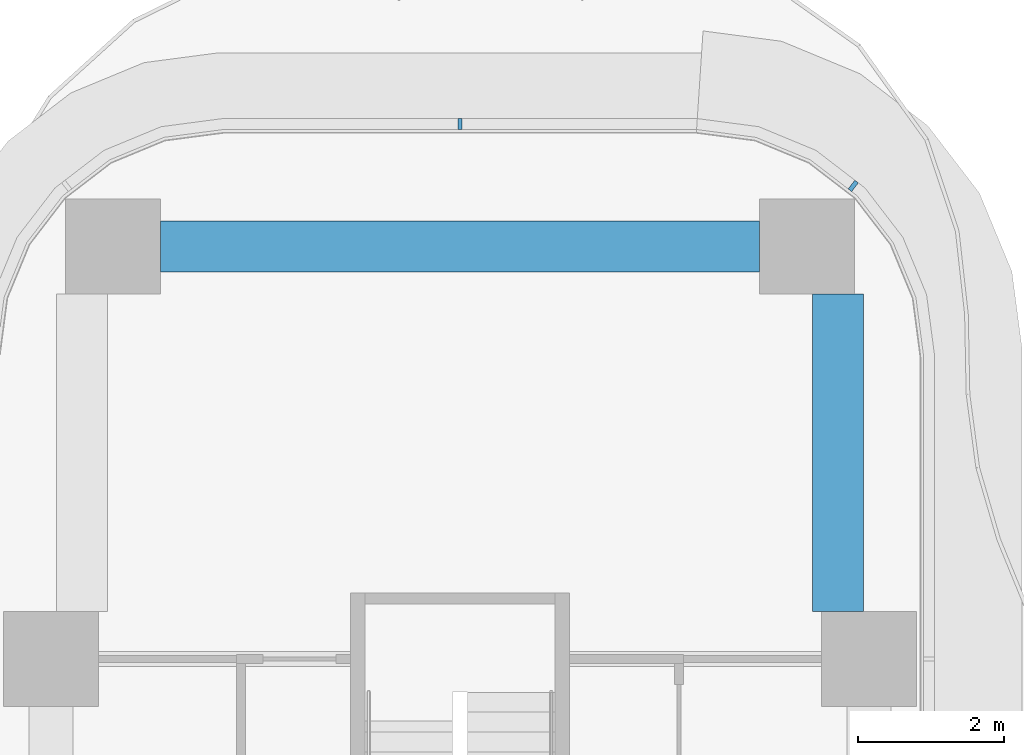
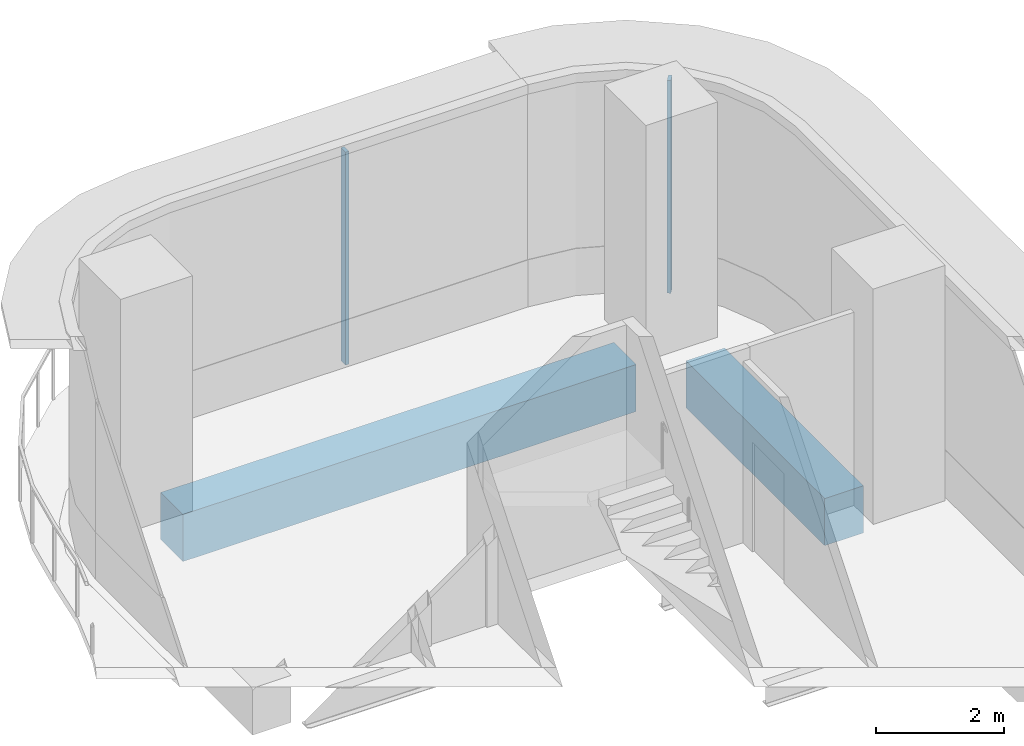
# One storey, part 12 of 21: 2 beams, 2 members, 2 elements without a shape of their own.
"""IFC4 building model written with IfcOpenShell, lengths in metres."""

from ifc_helpers import new_model, si_unit, direction, frame, origin, origin_2d, place, context, subcontext, project, spatial, rectangle, extrude, source, transform, mapped, material, layer, layer_set, material_profile, profile_set, type_object, element, aggregate, save


model = new_model("IFC4")

# Units and contexts
model_context = context("Model", 3, precision=1e-05, world=origin(), true_north=direction((0.0, 1.0)))
body_context = subcontext(model_context, "Body", "Model", "MODEL_VIEW")
ifc_project = project(units=[si_unit("LENGTHUNIT", "METRE"), si_unit("AREAUNIT", "SQUARE_METRE"), si_unit("VOLUMEUNIT", "CUBIC_METRE"), si_unit("PLANEANGLEUNIT", "RADIAN"), si_unit("MASSUNIT", "GRAM", prefix="KILO")], contexts=[model_context])

# Site, building, storey
site_placement = place(None, origin())
site = spatial("IfcSite", under=ifc_project, at=site_placement, CompositionType="ELEMENT")
building_placement = place(site_placement, origin())
building = spatial("IfcBuilding", under=site, at=building_placement, Name="Trellis Farm Tower", CompositionType="ELEMENT")
storey_placement = place(building_placement, frame((0.0, 0.0, 147.0)))
storey = spatial("IfcBuildingStorey", under=building, at=storey_placement, Name="L31", CompositionType="ELEMENT", Elevation=147.0)

# Beams
ifc_material_1 = material(Name="Concrete C60/75", Category="concrete")
ifc_material_profile_1 = material_profile(ifc_material_1, rectangle(XDim=0.699951171875, YDim=0.89990234375, at=origin_2d()), Name="RC spandrel beam 700x900 C60/75")
ifc_profile_set_1 = profile_set([ifc_material_profile_1], Name="Concrete C60/75")
beam_type = type_object("IfcBeamType", Name="RC spandrel beam 700x900 C60/75", PredefinedType="SPANDREL", material=ifc_profile_set_1)
shared_shape_1 = source(origin(), body_context, "Body", "SweptSolid", [
    extrude(rectangle(XDim=0.699951171875, YDim=0.89990234375, at=origin_2d()), origin(), (0.0, 0.0, 1.0), 4.35009765625),
])
beam_1_placement = place(storey_placement, frame((5.175048828125, 19.25, -0.699951171875), z_axis=(0.0, 1.0, 0.0), x_axis=(-1.0, 0.0, 0.0)))
element("IfcBeam", 1, at=beam_1_placement, inside=storey, type_object=beam_type, Name="Girder", PredefinedType="SPANDREL", context=body_context, shape_type="MappedRepresentation", body=[
    mapped(shared_shape_1, transform((0.0, 0.0, 0.0))),
])
shared_shape_2 = source(origin(), body_context, "Body", "SweptSolid", [
    extrude(rectangle(XDim=0.699951171875, YDim=0.89990234375, at=origin_2d()), origin(), (0.0, 0.0, 1.0), 8.2001953125),
])
beam_2_placement = place(storey_placement, frame((-4.10009765625, 24.25, -0.699951171875), z_axis=(1.0, 0.0, 0.0), x_axis=(0.0, 1.0, 0.0)))
element("IfcBeam", 2, at=beam_2_placement, inside=storey, type_object=beam_type, Name="Girder", PredefinedType="SPANDREL", context=body_context, shape_type="MappedRepresentation", body=[
    mapped(shared_shape_2, transform((0.0, 0.0, 0.0))),
])

# Curtain wall, member
ifc_material_2 = material(Name="Aluminium and glass curtain wall", Category="aluminium")
ifc_layer = layer(ifc_material_2, 0.18994140625)
ifc_layer_set = layer_set([ifc_layer], Name="RIBBON CURTAIN WALL CW1")
curtain_wall_type = type_object("IfcCurtainWallType", Name="RIBBON CURTAIN WALL CW1", PredefinedType="NOTDEFINED", material=ifc_layer_set)
placement = place(storey_placement, origin())
curtain_wall_1 = element("IfcCurtainWall", 3, at=placement, inside=storey, type_object=curtain_wall_type, Name="CW1 009", PredefinedType="NOTDEFINED")
ifc_material_3 = material(Name="Aluminium extrusion 6063-T6", Category="aluminium")
ifc_material_profile_2 = material_profile(ifc_material_3, rectangle(XDim=0.06005859375, YDim=0.14990234375, at=origin_2d()), Name="MULLION 60x150")
ifc_profile_set_2 = profile_set([ifc_material_profile_2], Name="Aluminium extrusion 6063-T6")
member_type = type_object("IfcMemberType", Name="CW1 MULLION 60x150", PredefinedType="MULLION", material=ifc_profile_set_2)
shared_shape_3 = source(origin(), body_context, "Body", "SweptSolid", [
    extrude(rectangle(XDim=0.06005859375, YDim=0.14990234375, at=origin_2d()), origin(), (0.0, 0.0, 1.0), 4.070068359375),
])
member_1_placement = place(storey_placement, frame((5.385498046875, 25.078369140625, 0.0), z_axis=(0.0, 0.0, 1.0), x_axis=(-0.793353340291, 0.608761429009, 0.0)))
member_1 = element("IfcMember", 4, at=member_1_placement, type_object=member_type, Name="MU1 009-03", PredefinedType="MULLION", context=body_context, shape_type="MappedRepresentation", body=[
    mapped(shared_shape_3, transform((0.0, 0.0, 0.0))),
])
aggregate(curtain_wall_1, [member_1])

curtain_wall_2 = element("IfcCurtainWall", 5, at=placement, inside=storey, type_object=curtain_wall_type, Name="CW1 010", PredefinedType="NOTDEFINED")
member_2_placement = place(storey_placement, frame((0.0, 25.925048828125, 0.0), z_axis=(0.0, 0.0, 1.0), x_axis=(-1.0, 0.0, 0.0)))
member_2 = element("IfcMember", 6, at=member_2_placement, type_object=member_type, Name="MU1 010-01", PredefinedType="MULLION", context=body_context, shape_type="MappedRepresentation", body=[
    mapped(shared_shape_3, transform((0.0, 0.0, 0.0))),
])
aggregate(curtain_wall_2, [member_2])

save(model, "model.ifc")
